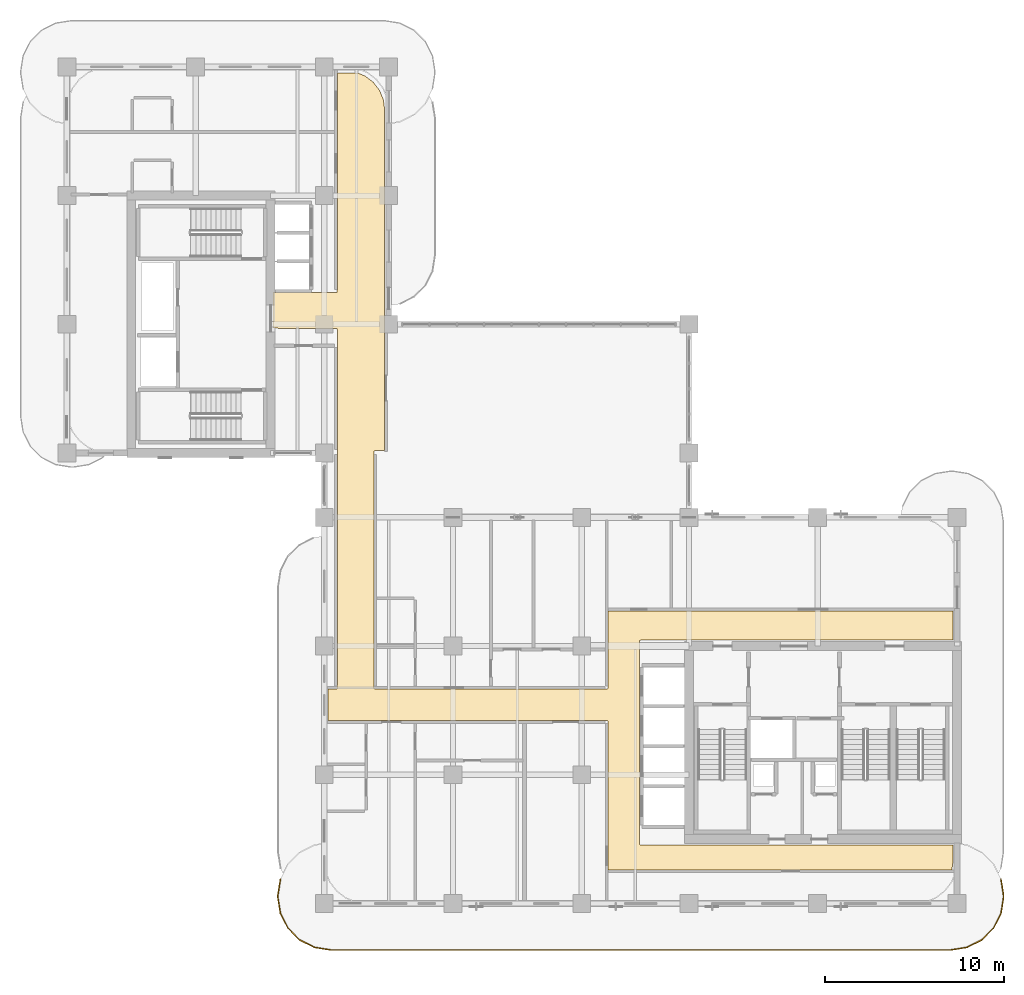
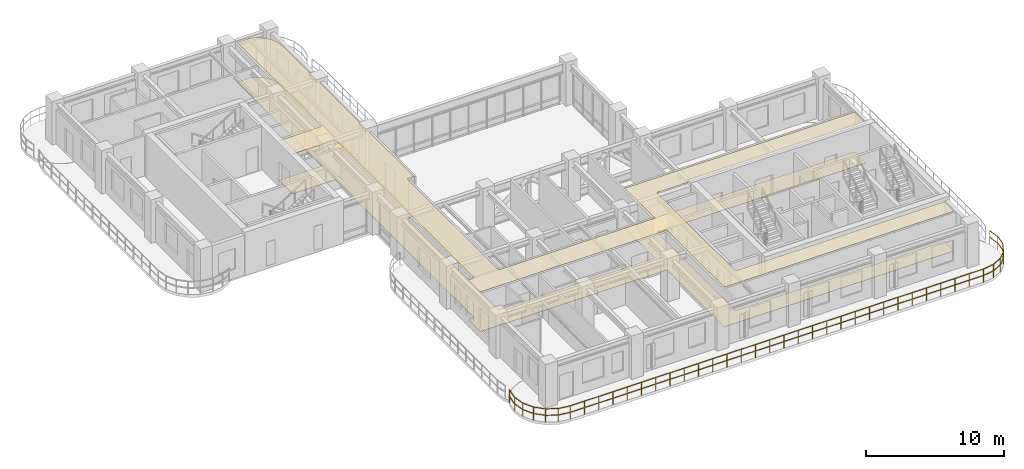
# One storey, part 15 of 17: 2 coverings, 1 railing.
"""IFC4 building model written with IfcOpenShell, lengths in metres."""

from ifc_helpers import new_model, si_unit, derived_unit, direction, frame, origin, origin_2d, place, context, subcontext, project, spatial, polyline, rectangle, outline, extrude, material, layer, layer_set, type_object, element, save


model = new_model("IFC4")

# Units and contexts
model_context = context("Model", 3, precision=1e-05, world=origin(), true_north=direction((0.0, 1.0)))
body_context = subcontext(model_context, "Body", "Model", "MODEL_VIEW")
ifc_project = project(units=[si_unit("LENGTHUNIT", "METRE"), si_unit("AREAUNIT", "SQUARE_METRE"), si_unit("VOLUMEUNIT", "CUBIC_METRE"), si_unit("PLANEANGLEUNIT", "RADIAN"), si_unit("MASSUNIT", "GRAM", prefix="KILO"), si_unit("THERMODYNAMICTEMPERATUREUNIT", "KELVIN"), si_unit("POWERUNIT", "WATT"), derived_unit("THERMALTRANSMITTANCEUNIT", [(si_unit("POWERUNIT", "WATT"), 1), (si_unit("AREAUNIT", "SQUARE_METRE"), -1), (si_unit("THERMODYNAMICTEMPERATUREUNIT", "KELVIN"), -1)])], contexts=[model_context])

# Site, building, storey
site_placement = place(None, origin())
site = spatial("IfcSite", under=ifc_project, at=site_placement, CompositionType="ELEMENT")
building_placement = place(site_placement, origin())
building = spatial("IfcBuilding", under=site, at=building_placement, Name="Zahravan Archway Hotel and Residences", CompositionType="ELEMENT")
storey_placement = place(building_placement, frame((0.0, 0.0, 192.64990234375)))
storey = spatial("IfcBuildingStorey", under=building, at=storey_placement, Name="L48", CompositionType="ELEMENT", Elevation=192.64990234375)

# Coverings
ifc_material_1 = material(Name="Perforated Acoustic Gypsum Ceiling")
ifc_layer_1 = layer(ifc_material_1, 0.02490234375, Name="Perforated Acoustic Gypsum Ceiling")
ifc_layer_set_1 = layer_set([ifc_layer_1], Name="Perforated Acoustic Gypsum Ceiling")
covering_type_1 = type_object("IfcCoveringType", Name="COV-CEIL-ACST", PredefinedType="CEILING", material=ifc_layer_set_1)
covering_1_placement = place(storey_placement, frame((0.0, 0.0, 3.525146484375)))
element("IfcCovering", 1, at=covering_1_placement, inside=storey, type_object=covering_type_1, Name="L48 Acoustic Corridor Ceiling", PredefinedType="CEILING", context=body_context, shape_type="SweptSolid", body=[
    extrude(outline(polyline([(32.09228515625, 14.7294921875), (32.04931640625, 14.7119140625), (32.0234375, 14.673095703125), (32.02001953125, 3.35009765625), (32.033447265625, 3.3056640625), (32.0693359375, 3.276123046875), (49.580078125, 3.27001953125), (49.580078125, 2.414306640625), (49.509521484375, 1.8798828125), (30.280029296875, 1.8798828125), (30.280029296875, 10.14990234375), (30.2666015625, 10.1943359375), (30.230712890625, 10.223876953125), (14.6201171875, 10.22998046875), (14.6201171875, 11.989990234375), (15.050048828125, 11.989990234375), (15.094482421875, 12.00341796875), (15.123779296875, 12.039306640625), (15.1298828125, 32.10009765625), (15.116455078125, 32.144287109375), (15.08056640625, 32.173828125), (11.530029296875, 32.179931640625), (11.530029296875, 34.169921875), (15.050048828125, 34.169921875), (15.094482421875, 34.18359375), (15.123779296875, 34.219482421875), (15.1298828125, 46.469970703125), (16.24560546875, 46.469970703125), (16.689208984375, 46.286376953125), (17.14013671875, 45.940185546875), (17.486328125, 45.489013671875), (17.703857421875, 44.9638671875), (17.77001953125, 44.46142578125), (17.77001953125, 25.330078125), (17.25, 25.330078125), (17.20556640625, 25.31640625), (17.176025390625, 25.280517578125), (17.169921875, 12.070068359375), (17.18359375, 12.025634765625), (17.219482421875, 11.99609375), (30.199951171875, 11.989990234375), (30.244384765625, 12.00341796875), (30.27392578125, 12.039306640625), (30.280029296875, 16.3701171875), (49.580078125, 16.3701171875), (49.580078125, 14.72998046875), (32.10009765625, 14.72998046875), (32.09228515625, 14.7294921875)])), origin(), (0.0, 0.0, 1.0), 0.02490234375),
])
ifc_material_2 = material(Name="Honed Margalla Limestone & Mortar Bed", Category="masonry")
ifc_layer_2 = layer(ifc_material_2, 0.030029296875, Name="Honed Margalla Limestone & Mortar Bed", Category="masonry")
ifc_layer_set_2 = layer_set([ifc_layer_2], Name="Honed Margalla Limestone & Mortar Bed")
covering_type_2 = type_object("IfcCoveringType", Name="COV-FLR-STONE", PredefinedType="FLOORING", material=ifc_layer_set_2)
covering_2_placement = place(storey_placement, origin())
element("IfcCovering", 2, at=covering_2_placement, inside=storey, type_object=covering_type_2, Name="L48 Circulation Floor Finish", PredefinedType="FLOORING", context=body_context, shape_type="SweptSolid", body=[
    extrude(outline(polyline([(32.09228515625, 14.7294921875), (32.04931640625, 14.7119140625), (32.0234375, 14.673095703125), (32.02001953125, 3.35009765625), (32.033447265625, 3.3056640625), (32.0693359375, 3.276123046875), (49.580078125, 3.27001953125), (49.580078125, 2.414306640625), (49.509521484375, 1.8798828125), (30.280029296875, 1.8798828125), (30.280029296875, 10.14990234375), (30.2666015625, 10.1943359375), (30.230712890625, 10.223876953125), (14.6201171875, 10.22998046875), (14.6201171875, 11.989990234375), (15.050048828125, 11.989990234375), (15.094482421875, 12.00341796875), (15.123779296875, 12.039306640625), (15.1298828125, 32.10009765625), (15.116455078125, 32.144287109375), (15.08056640625, 32.173828125), (11.530029296875, 32.179931640625), (11.530029296875, 34.169921875), (15.050048828125, 34.169921875), (15.094482421875, 34.18359375), (15.123779296875, 34.219482421875), (15.1298828125, 46.469970703125), (16.24560546875, 46.469970703125), (16.689208984375, 46.286376953125), (17.14013671875, 45.940185546875), (17.486328125, 45.489013671875), (17.703857421875, 44.9638671875), (17.77001953125, 44.46142578125), (17.77001953125, 25.330078125), (17.25, 25.330078125), (17.20556640625, 25.31640625), (17.176025390625, 25.280517578125), (17.169921875, 12.070068359375), (17.18359375, 12.025634765625), (17.219482421875, 11.99609375), (30.199951171875, 11.989990234375), (30.244384765625, 12.00341796875), (30.27392578125, 12.039306640625), (30.280029296875, 16.3701171875), (49.580078125, 16.3701171875), (49.580078125, 14.72998046875), (32.10009765625, 14.72998046875), (32.09228515625, 14.7294921875)])), origin(), (0.0, 0.0, 1.0), 0.030029296875),
])

# Railing
ifc_material_3 = material(Name="Bronze & Laminated Glass Balustrade", Category="glass")
railing_type = type_object("IfcRailingType", Name="RL-BAL-1200", PredefinedType="BALUSTRADE", material=ifc_material_3)
railing_placement = place(storey_placement, frame((52.255615234375, 1.361572265625, 0.0)))
element("IfcRailing", 3, at=railing_placement, inside=storey, type_object=railing_type, Name="L48 Balustrade RL-SLB-BAL-L48-SA-1", PredefinedType="BALUSTRADE", context=body_context, shape_type="SweptSolid", body=[
    extrude(rectangle(XDim=0.048095703125, YDim=0.048095703125, at=origin_2d()), frame((0.0, 0.0, 1.17578125), z_axis=(0.156329311416, -0.987704989555, 0.0), x_axis=(0.987704989555, 0.156329311416, 0.0)), (0.0, 0.0, 1.0), 0.9228515625),
    extrude(rectangle(XDim=0.048095703125, YDim=0.048095703125, at=origin_2d()), frame((0.0, 0.0, 0.60009765625), z_axis=(0.156329311416, -0.987704989555, 0.0), x_axis=(0.987704989555, 0.156329311416, 0.0)), (0.0, 0.0, 1.0), 0.9228515625),
    extrude(rectangle(XDim=0.048095703125, YDim=0.048095703125, at=origin_2d()), frame((0.144287109375, -0.91162109375, 1.17578125), z_axis=(0.0, -1.0, 0.0), x_axis=(1.0, 0.0, 0.0)), (0.0, 0.0, 1.0), 0.099853515625),
    extrude(rectangle(XDim=0.048095703125, YDim=0.048095703125, at=origin_2d()), frame((0.144287109375, -0.91162109375, 0.60009765625), z_axis=(0.0, -1.0, 0.0), x_axis=(1.0, 0.0, 0.0)), (0.0, 0.0, 1.0), 0.099853515625),
    extrude(rectangle(XDim=0.048095703125, YDim=0.048095703125, at=origin_2d()), frame((0.144287109375, -1.011474609375, 1.17578125), z_axis=(-0.156329311416, -0.987704989555, 0.0), x_axis=(0.987704989555, -0.156329311416, 0.0)), (0.0, 0.0, 1.0), 0.9228515625),
    extrude(rectangle(XDim=0.048095703125, YDim=0.048095703125, at=origin_2d()), frame((0.144287109375, -1.011474609375, 0.60009765625), z_axis=(-0.156329311416, -0.987704989555, 0.0), x_axis=(0.987704989555, -0.156329311416, 0.0)), (0.0, 0.0, 1.0), 0.9228515625),
    extrude(rectangle(XDim=0.048095703125, YDim=0.048095703125, at=origin_2d()), frame((0.0, -1.923095703125, 1.17578125), z_axis=(-0.453866348456, -0.891069771532, 0.0), x_axis=(0.891069771532, -0.453866348456, 0.0)), (0.0, 0.0, 1.0), 0.923095703125),
    extrude(rectangle(XDim=0.048095703125, YDim=0.048095703125, at=origin_2d()), frame((0.0, -1.923095703125, 0.60009765625), z_axis=(-0.453866348456, -0.891069771532, 0.0), x_axis=(0.891069771532, -0.453866348456, 0.0)), (0.0, 0.0, 1.0), 0.923095703125),
    extrude(rectangle(XDim=0.048095703125, YDim=0.048095703125, at=origin_2d()), frame((-0.4189453125, -2.74560546875, 1.17578125), z_axis=(-0.707106781187, -0.707106781187, 0.0), x_axis=(0.707106781187, -0.707106781187, 0.0)), (0.0, 0.0, 1.0), 0.9228515625),
    extrude(rectangle(XDim=0.048095703125, YDim=0.048095703125, at=origin_2d()), frame((-0.4189453125, -2.74560546875, 0.60009765625), z_axis=(-0.707106781187, -0.707106781187, 0.0), x_axis=(0.707106781187, -0.707106781187, 0.0)), (0.0, 0.0, 1.0), 0.9228515625),
    extrude(rectangle(XDim=0.048095703125, YDim=0.048095703125, at=origin_2d()), frame((-1.071533203125, -3.398193359375, 1.17578125), z_axis=(-0.891069771532, -0.453866348456, 0.0), x_axis=(0.453866348456, -0.891069771532, 0.0)), (0.0, 0.0, 1.0), 0.923095703125),
    extrude(rectangle(XDim=0.048095703125, YDim=0.048095703125, at=origin_2d()), frame((-1.071533203125, -3.398193359375, 0.60009765625), z_axis=(-0.891069771532, -0.453866348456, 0.0), x_axis=(0.453866348456, -0.891069771532, 0.0)), (0.0, 0.0, 1.0), 0.923095703125),
    extrude(rectangle(XDim=0.048095703125, YDim=0.048095703125, at=origin_2d()), frame((-1.89404296875, -3.817138671875, 1.17578125), z_axis=(-0.98766411426, -0.156587347521, 0.0), x_axis=(0.156587347521, -0.98766411426, 0.0)), (0.0, 0.0, 1.0), 0.923095703125),
    extrude(rectangle(XDim=0.048095703125, YDim=0.048095703125, at=origin_2d()), frame((-1.89404296875, -3.817138671875, 0.60009765625), z_axis=(-0.98766411426, -0.156587347521, 0.0), x_axis=(0.156587347521, -0.98766411426, 0.0)), (0.0, 0.0, 1.0), 0.923095703125),
    extrude(rectangle(XDim=0.048095703125, YDim=0.048095703125, at=origin_2d()), frame((-2.8056640625, -3.961669921875, 1.17578125), z_axis=(-1.0, 0.0, 0.0), x_axis=(0.0, -1.0, 0.0)), (0.0, 0.0, 1.0), 34.699951171875),
    extrude(rectangle(XDim=0.048095703125, YDim=0.048095703125, at=origin_2d()), frame((-2.8056640625, -3.961669921875, 0.60009765625), z_axis=(-1.0, 0.0, 0.0), x_axis=(0.0, -1.0, 0.0)), (0.0, 0.0, 1.0), 34.699951171875),
    extrude(rectangle(XDim=0.048095703125, YDim=0.048095703125, at=origin_2d()), frame((-37.505615234375, -3.961669921875, 1.17578125), z_axis=(-0.98766411426, 0.156587347521, 0.0), x_axis=(-0.156587347521, -0.98766411426, 0.0)), (0.0, 0.0, 1.0), 0.923095703125),
    extrude(rectangle(XDim=0.048095703125, YDim=0.048095703125, at=origin_2d()), frame((-37.505615234375, -3.961669921875, 0.60009765625), z_axis=(-0.98766411426, 0.156587347521, 0.0), x_axis=(-0.156587347521, -0.98766411426, 0.0)), (0.0, 0.0, 1.0), 0.923095703125),
    extrude(rectangle(XDim=0.048095703125, YDim=0.048095703125, at=origin_2d()), frame((-38.417236328125, -3.817138671875, 1.17578125), z_axis=(-0.891015268556, 0.453973337542, 0.0), x_axis=(-0.453973337542, -0.891015268556, 0.0)), (0.0, 0.0, 1.0), 0.9228515625),
    extrude(rectangle(XDim=0.048095703125, YDim=0.048095703125, at=origin_2d()), frame((-38.417236328125, -3.817138671875, 0.60009765625), z_axis=(-0.891015268556, 0.453973337542, 0.0), x_axis=(-0.453973337542, -0.891015268556, 0.0)), (0.0, 0.0, 1.0), 0.9228515625),
    extrude(rectangle(XDim=0.048095703125, YDim=0.048095703125, at=origin_2d()), frame((-39.239501953125, -3.398193359375, 1.17578125), z_axis=(-0.707239012465, 0.706974525176, 0.0), x_axis=(-0.706974525176, -0.707239012465, 0.0)), (0.0, 0.0, 1.0), 0.923095703125),
    extrude(rectangle(XDim=0.048095703125, YDim=0.048095703125, at=origin_2d()), frame((-39.239501953125, -3.398193359375, 0.60009765625), z_axis=(-0.707239012465, 0.706974525176, 0.0), x_axis=(-0.706974525176, -0.707239012465, 0.0)), (0.0, 0.0, 1.0), 0.923095703125),
    extrude(rectangle(XDim=0.048095703125, YDim=0.048095703125, at=origin_2d()), frame((-39.892333984375, -2.74560546875, 1.17578125), z_axis=(-0.453866348456, 0.891069771532, 0.0), x_axis=(-0.891069771532, -0.453866348456, 0.0)), (0.0, 0.0, 1.0), 0.923095703125),
    extrude(rectangle(XDim=0.048095703125, YDim=0.048095703125, at=origin_2d()), frame((-39.892333984375, -2.74560546875, 0.60009765625), z_axis=(-0.453866348456, 0.891069771532, 0.0), x_axis=(-0.891069771532, -0.453866348456, 0.0)), (0.0, 0.0, 1.0), 0.923095703125),
    extrude(rectangle(XDim=0.048095703125, YDim=0.048095703125, at=origin_2d()), frame((-40.311279296875, -1.923095703125, 1.17578125), z_axis=(-0.156329311416, 0.987704989555, 0.0), x_axis=(-0.987704989555, -0.156329311416, 0.0)), (0.0, 0.0, 1.0), 0.9228515625),
    extrude(rectangle(XDim=0.048095703125, YDim=0.048095703125, at=origin_2d()), frame((-40.311279296875, -1.923095703125, 0.60009765625), z_axis=(-0.156329311416, 0.987704989555, 0.0), x_axis=(-0.987704989555, -0.156329311416, 0.0)), (0.0, 0.0, 1.0), 0.9228515625),
    extrude(rectangle(XDim=0.048095703125, YDim=0.048095703125, at=origin_2d()), frame((-40.45556640625, -1.011474609375, 1.17578125), z_axis=(0.0, 1.0, 0.0), x_axis=(-1.0, 0.0, 0.0)), (0.0, 0.0, 1.0), 0.099853515625),
    extrude(rectangle(XDim=0.048095703125, YDim=0.048095703125, at=origin_2d()), frame((-40.45556640625, -1.011474609375, 0.60009765625), z_axis=(0.0, 1.0, 0.0), x_axis=(-1.0, 0.0, 0.0)), (0.0, 0.0, 1.0), 0.099853515625),
    extrude(rectangle(XDim=0.048095703125, YDim=0.048095703125, at=origin_2d()), frame((-40.45556640625, -0.91162109375, 1.17578125), z_axis=(0.156329311416, 0.987704989555, 0.0), x_axis=(-0.987704989555, 0.156329311416, 0.0)), (0.0, 0.0, 1.0), 0.9228515625),
    extrude(rectangle(XDim=0.048095703125, YDim=0.048095703125, at=origin_2d()), frame((-40.45556640625, -0.91162109375, 0.60009765625), z_axis=(0.156329311416, 0.987704989555, 0.0), x_axis=(-0.987704989555, 0.156329311416, 0.0)), (0.0, 0.0, 1.0), 0.9228515625),
    extrude(rectangle(XDim=0.0419921875, YDim=0.0419921875, at=origin_2d()), origin(), (0.0, 0.0, 1.0), 1.15185546875),
    extrude(rectangle(XDim=0.0419921875, YDim=0.0419921875, at=origin_2d()), frame((0.144287109375, -0.91162109375, 0.0)), (0.0, 0.0, 1.0), 1.15185546875),
    extrude(rectangle(XDim=0.0419921875, YDim=0.0419921875, at=origin_2d()), frame((0.0, -1.923095703125, 0.0)), (0.0, 0.0, 1.0), 1.15185546875),
    extrude(rectangle(XDim=0.0419921875, YDim=0.0419921875, at=origin_2d()), frame((-0.4189453125, -2.74560546875, 0.0)), (0.0, 0.0, 1.0), 1.15185546875),
    extrude(rectangle(XDim=0.0419921875, YDim=0.0419921875, at=origin_2d()), frame((-1.071533203125, -3.398193359375, 0.0)), (0.0, 0.0, 1.0), 1.15185546875),
    extrude(rectangle(XDim=0.0419921875, YDim=0.0419921875, at=origin_2d()), frame((-1.89404296875, -3.817138671875, 0.0)), (0.0, 0.0, 1.0), 1.15185546875),
    extrude(rectangle(XDim=0.0419921875, YDim=0.0419921875, at=origin_2d()), frame((-2.8056640625, -3.961669921875, 0.0)), (0.0, 0.0, 1.0), 1.15185546875),
    extrude(rectangle(XDim=0.0419921875, YDim=0.0419921875, at=origin_2d()), frame((-4.002197265625, -3.961669921875, 0.0)), (0.0, 0.0, 1.0), 1.15185546875),
    extrude(rectangle(XDim=0.0419921875, YDim=0.0419921875, at=origin_2d()), frame((-5.19873046875, -3.961669921875, 0.0)), (0.0, 0.0, 1.0), 1.15185546875),
    extrude(rectangle(XDim=0.0419921875, YDim=0.0419921875, at=origin_2d()), frame((-6.395263671875, -3.961669921875, 0.0)), (0.0, 0.0, 1.0), 1.15185546875),
    extrude(rectangle(XDim=0.0419921875, YDim=0.0419921875, at=origin_2d()), frame((-7.591796875, -3.961669921875, 0.0)), (0.0, 0.0, 1.0), 1.15185546875),
    extrude(rectangle(XDim=0.0419921875, YDim=0.0419921875, at=origin_2d()), frame((-8.788330078125, -3.961669921875, 0.0)), (0.0, 0.0, 1.0), 1.15185546875),
    extrude(rectangle(XDim=0.0419921875, YDim=0.0419921875, at=origin_2d()), frame((-9.98486328125, -3.961669921875, 0.0)), (0.0, 0.0, 1.0), 1.15185546875),
    extrude(rectangle(XDim=0.0419921875, YDim=0.0419921875, at=origin_2d()), frame((-11.181396484375, -3.961669921875, 0.0)), (0.0, 0.0, 1.0), 1.15185546875),
    extrude(rectangle(XDim=0.0419921875, YDim=0.0419921875, at=origin_2d()), frame((-12.378173828125, -3.961669921875, 0.0)), (0.0, 0.0, 1.0), 1.15185546875),
    extrude(rectangle(XDim=0.0419921875, YDim=0.0419921875, at=origin_2d()), frame((-13.57470703125, -3.961669921875, 0.0)), (0.0, 0.0, 1.0), 1.15185546875),
    extrude(rectangle(XDim=0.0419921875, YDim=0.0419921875, at=origin_2d()), frame((-14.771240234375, -3.961669921875, 0.0)), (0.0, 0.0, 1.0), 1.15185546875),
    extrude(rectangle(XDim=0.0419921875, YDim=0.0419921875, at=origin_2d()), frame((-15.9677734375, -3.961669921875, 0.0)), (0.0, 0.0, 1.0), 1.15185546875),
    extrude(rectangle(XDim=0.0419921875, YDim=0.0419921875, at=origin_2d()), frame((-17.164306640625, -3.961669921875, 0.0)), (0.0, 0.0, 1.0), 1.15185546875),
    extrude(rectangle(XDim=0.0419921875, YDim=0.0419921875, at=origin_2d()), frame((-18.36083984375, -3.961669921875, 0.0)), (0.0, 0.0, 1.0), 1.15185546875),
    extrude(rectangle(XDim=0.0419921875, YDim=0.0419921875, at=origin_2d()), frame((-19.557373046875, -3.961669921875, 0.0)), (0.0, 0.0, 1.0), 1.15185546875),
    extrude(rectangle(XDim=0.0419921875, YDim=0.0419921875, at=origin_2d()), frame((-20.75390625, -3.961669921875, 0.0)), (0.0, 0.0, 1.0), 1.15185546875),
    extrude(rectangle(XDim=0.0419921875, YDim=0.0419921875, at=origin_2d()), frame((-21.950439453125, -3.961669921875, 0.0)), (0.0, 0.0, 1.0), 1.15185546875),
    extrude(rectangle(XDim=0.0419921875, YDim=0.0419921875, at=origin_2d()), frame((-23.14697265625, -3.961669921875, 0.0)), (0.0, 0.0, 1.0), 1.15185546875),
    extrude(rectangle(XDim=0.0419921875, YDim=0.0419921875, at=origin_2d()), frame((-24.343505859375, -3.961669921875, 0.0)), (0.0, 0.0, 1.0), 1.15185546875),
    extrude(rectangle(XDim=0.0419921875, YDim=0.0419921875, at=origin_2d()), frame((-25.5400390625, -3.961669921875, 0.0)), (0.0, 0.0, 1.0), 1.15185546875),
    extrude(rectangle(XDim=0.0419921875, YDim=0.0419921875, at=origin_2d()), frame((-26.736572265625, -3.961669921875, 0.0)), (0.0, 0.0, 1.0), 1.15185546875),
    extrude(rectangle(XDim=0.0419921875, YDim=0.0419921875, at=origin_2d()), frame((-27.93310546875, -3.961669921875, 0.0)), (0.0, 0.0, 1.0), 1.15185546875),
    extrude(rectangle(XDim=0.0419921875, YDim=0.0419921875, at=origin_2d()), frame((-29.1298828125, -3.961669921875, 0.0)), (0.0, 0.0, 1.0), 1.15185546875),
    extrude(rectangle(XDim=0.0419921875, YDim=0.0419921875, at=origin_2d()), frame((-30.326416015625, -3.961669921875, 0.0)), (0.0, 0.0, 1.0), 1.15185546875),
    extrude(rectangle(XDim=0.0419921875, YDim=0.0419921875, at=origin_2d()), frame((-31.52294921875, -3.961669921875, 0.0)), (0.0, 0.0, 1.0), 1.15185546875),
    extrude(rectangle(XDim=0.0419921875, YDim=0.0419921875, at=origin_2d()), frame((-32.719482421875, -3.961669921875, 0.0)), (0.0, 0.0, 1.0), 1.15185546875),
    extrude(rectangle(XDim=0.0419921875, YDim=0.0419921875, at=origin_2d()), frame((-33.916015625, -3.961669921875, 0.0)), (0.0, 0.0, 1.0), 1.15185546875),
    extrude(rectangle(XDim=0.0419921875, YDim=0.0419921875, at=origin_2d()), frame((-35.112548828125, -3.961669921875, 0.0)), (0.0, 0.0, 1.0), 1.15185546875),
    extrude(rectangle(XDim=0.0419921875, YDim=0.0419921875, at=origin_2d()), frame((-36.30908203125, -3.961669921875, 0.0)), (0.0, 0.0, 1.0), 1.15185546875),
    extrude(rectangle(XDim=0.0419921875, YDim=0.0419921875, at=origin_2d()), frame((-37.505615234375, -3.961669921875, 0.0)), (0.0, 0.0, 1.0), 1.15185546875),
    extrude(rectangle(XDim=0.0419921875, YDim=0.0419921875, at=origin_2d()), frame((-38.417236328125, -3.817138671875, 0.0)), (0.0, 0.0, 1.0), 1.15185546875),
    extrude(rectangle(XDim=0.0419921875, YDim=0.0419921875, at=origin_2d()), frame((-39.239501953125, -3.398193359375, 0.0)), (0.0, 0.0, 1.0), 1.15185546875),
    extrude(rectangle(XDim=0.0419921875, YDim=0.0419921875, at=origin_2d()), frame((-39.892333984375, -2.74560546875, 0.0)), (0.0, 0.0, 1.0), 1.15185546875),
    extrude(rectangle(XDim=0.0419921875, YDim=0.0419921875, at=origin_2d()), frame((-40.311279296875, -1.923095703125, 0.0)), (0.0, 0.0, 1.0), 1.15185546875),
    extrude(rectangle(XDim=0.0419921875, YDim=0.0419921875, at=origin_2d()), frame((-40.45556640625, -1.011474609375, 0.0)), (0.0, 0.0, 1.0), 1.15185546875),
    extrude(rectangle(XDim=0.0419921875, YDim=0.0419921875, at=origin_2d()), frame((-40.311279296875, 0.0, 0.0)), (0.0, 0.0, 1.0), 1.15185546875),
])

save(model, "model.ifc")
